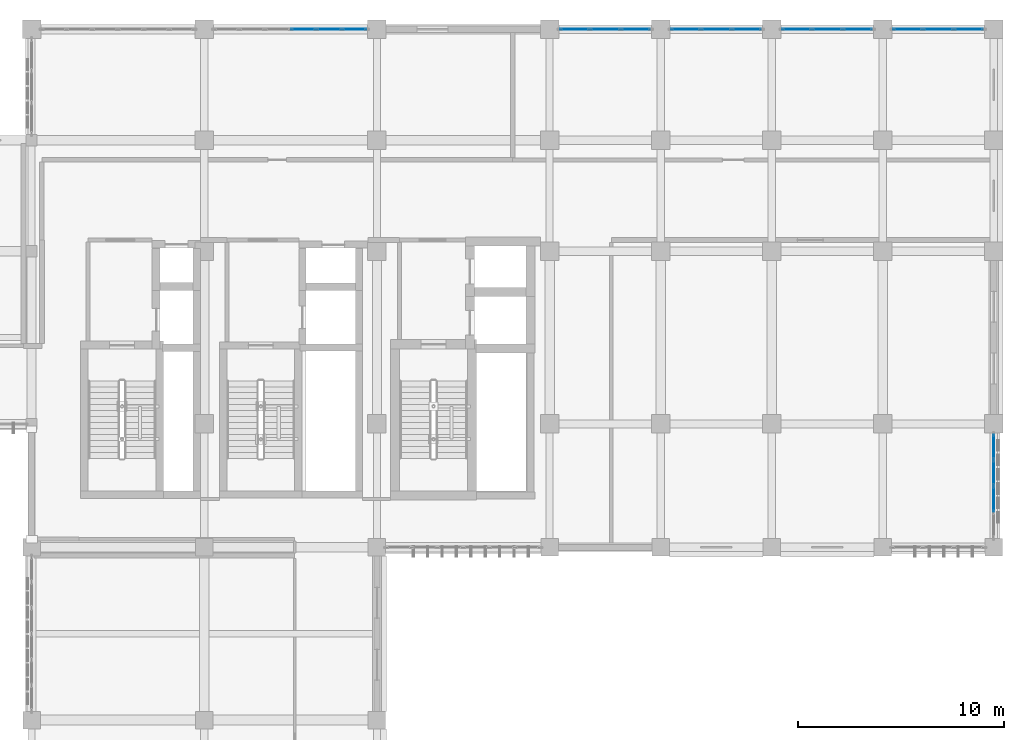
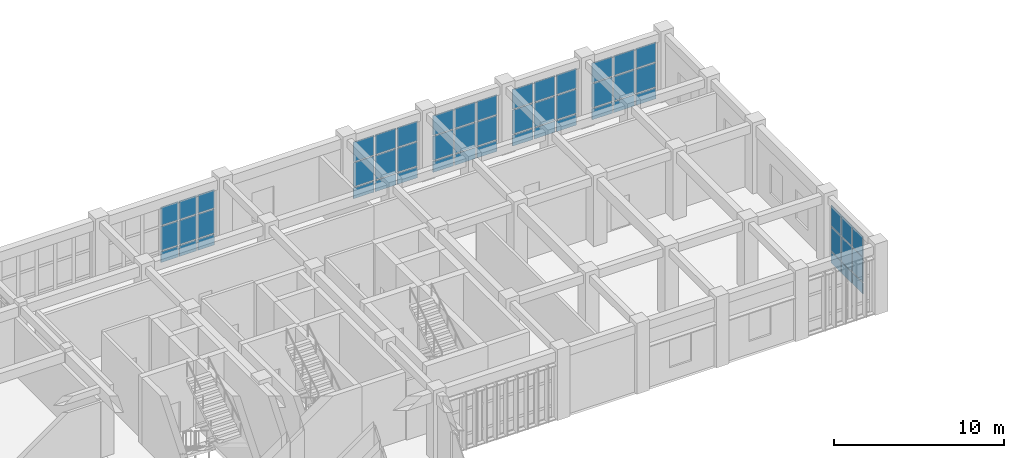
# One storey, part 79 of 106: 54 plates, 6 elements without a shape of their own.
"""IFC4 building model written with IfcOpenShell, lengths in metres."""

from ifc_helpers import new_model, si_unit, direction, frame, origin, origin_2d, place, context, subcontext, project, spatial, rectangle, extrude, material, layer, layer_set, type_object, element, aggregate, save


model = new_model("IFC4")

# Units and contexts
model_context = context("Model", 3, precision=1e-05, world=origin(), true_north=direction((0.0, 1.0)))
body_context = subcontext(model_context, "Body", "Model", "MODEL_VIEW")
ifc_project = project(units=[si_unit("LENGTHUNIT", "METRE"), si_unit("AREAUNIT", "SQUARE_METRE"), si_unit("VOLUMEUNIT", "CUBIC_METRE"), si_unit("PLANEANGLEUNIT", "RADIAN"), si_unit("MASSUNIT", "GRAM", prefix="KILO")], contexts=[model_context])

# Site, building, storey
site_placement = place(None, origin())
site = spatial("IfcSite", under=ifc_project, at=site_placement, CompositionType="ELEMENT")
building_placement = place(site_placement, origin())
building = spatial("IfcBuilding", under=site, at=building_placement, Name="Krzemoval Escarpment Law Courts", CompositionType="ELEMENT")
storey_placement = place(building_placement, frame((0.0, 0.0, 5.10009765625)))
storey = spatial("IfcBuildingStorey", under=building, at=storey_placement, Name="L01", CompositionType="ELEMENT", Elevation=5.10009765625)

# Curtain wall, plates
ifc_material_1 = material(Name="Aluminium 6063-T6", Category="aluminium")
ifc_layer_1 = layer(ifc_material_1, 0.239990234375)
ifc_layer_set_1 = layer_set([ifc_layer_1], Name="Aluminium 6063-T6")
curtain_wall_type = type_object("IfcCurtainWallType", Name="CW-CHMB-4800", PredefinedType="USERDEFINED", material=ifc_layer_set_1)
curtain_wall_1_placement = place(storey_placement, origin())
curtain_wall_1 = element("IfcCurtainWall", 1, at=curtain_wall_1_placement, inside=storey, type_object=curtain_wall_type, Name="Unitised Curtain Wall FCW-L01-033", ObjectType="UNITISED_CURTAIN_WALL", PredefinedType="USERDEFINED")
ifc_material_2 = material(Name="Triple Glazing IGU", Category="glass")
ifc_layer_2 = layer(ifc_material_2, 0.048095703125)
ifc_layer_set_2 = layer_set([ifc_layer_2], Name="Triple Glazing IGU")
plate_type = type_object("IfcPlateType", Name="CWP-GLZ-48", PredefinedType="CURTAIN_PANEL", material=ifc_layer_set_2)
plate_1_placement = place(storey_placement, frame((139.22509765625, 118.800048828125, 0.074951171875), z_axis=(0.0, 0.0, 1.0), x_axis=(1.0, 0.0, 0.0)))
plate_1 = element("IfcPlate", 2, at=plate_1_placement, type_object=plate_type, Name="FCW-L01-033 panel 4.1", PredefinedType="CURTAIN_PANEL", context=body_context, shape_type="SweptSolid", body=[
    extrude(rectangle(XDim=1.175048828125, YDim=0.048095703125, at=origin_2d()), origin(), (0.0, 0.0, 1.0), 0.78759765625),
])
plate_2_placement = place(storey_placement, frame((139.22509765625, 118.800048828125, 0.937255859375), z_axis=(0.0, 0.0, 1.0), x_axis=(1.0, 0.0, 0.0)))
plate_2 = element("IfcPlate", 3, at=plate_2_placement, type_object=plate_type, Name="FCW-L01-033 panel 4.2", PredefinedType="CURTAIN_PANEL", context=body_context, shape_type="SweptSolid", body=[
    extrude(rectangle(XDim=1.175048828125, YDim=0.048095703125, at=origin_2d()), origin(), (0.0, 0.0, 1.0), 1.72509765625),
])
plate_3_placement = place(storey_placement, frame((139.22509765625, 118.800048828125, 2.7373046875), z_axis=(0.0, 0.0, 1.0), x_axis=(1.0, 0.0, 0.0)))
plate_3 = element("IfcPlate", 4, at=plate_3_placement, type_object=plate_type, Name="FCW-L01-033 panel 4.3", PredefinedType="CURTAIN_PANEL", context=body_context, shape_type="SweptSolid", body=[
    extrude(rectangle(XDim=1.175048828125, YDim=0.048095703125, at=origin_2d()), origin(), (0.0, 0.0, 1.0), 1.3076171875),
])
plate_4_placement = place(storey_placement, frame((140.47509765625, 118.800048828125, 0.074951171875), z_axis=(0.0, 0.0, 1.0), x_axis=(1.0, 0.0, 0.0)))
plate_4 = element("IfcPlate", 5, at=plate_4_placement, type_object=plate_type, Name="FCW-L01-033 panel 5.1", PredefinedType="CURTAIN_PANEL", context=body_context, shape_type="SweptSolid", body=[
    extrude(rectangle(XDim=1.175048828125, YDim=0.048095703125, at=origin_2d()), origin(), (0.0, 0.0, 1.0), 0.78759765625),
])
plate_5_placement = place(storey_placement, frame((140.47509765625, 118.800048828125, 0.937255859375), z_axis=(0.0, 0.0, 1.0), x_axis=(1.0, 0.0, 0.0)))
plate_5 = element("IfcPlate", 6, at=plate_5_placement, type_object=plate_type, Name="FCW-L01-033 panel 5.2", PredefinedType="CURTAIN_PANEL", context=body_context, shape_type="SweptSolid", body=[
    extrude(rectangle(XDim=1.175048828125, YDim=0.048095703125, at=origin_2d()), origin(), (0.0, 0.0, 1.0), 1.72509765625),
])
plate_6_placement = place(storey_placement, frame((140.47509765625, 118.800048828125, 2.7373046875), z_axis=(0.0, 0.0, 1.0), x_axis=(1.0, 0.0, 0.0)))
plate_6 = element("IfcPlate", 7, at=plate_6_placement, type_object=plate_type, Name="FCW-L01-033 panel 5.3", PredefinedType="CURTAIN_PANEL", context=body_context, shape_type="SweptSolid", body=[
    extrude(rectangle(XDim=1.175048828125, YDim=0.048095703125, at=origin_2d()), origin(), (0.0, 0.0, 1.0), 1.3076171875),
])
plate_7_placement = place(storey_placement, frame((141.706298828125, 118.800048828125, 0.074951171875), z_axis=(0.0, 0.0, 1.0), x_axis=(1.0, 0.0, 0.0)))
plate_7 = element("IfcPlate", 8, at=plate_7_placement, type_object=plate_type, Name="FCW-L01-033 panel 6.1", PredefinedType="CURTAIN_PANEL", context=body_context, shape_type="SweptSolid", body=[
    extrude(rectangle(XDim=1.137451171875, YDim=0.048095703125, at=origin_2d()), origin(), (0.0, 0.0, 1.0), 0.78759765625),
])
plate_8_placement = place(storey_placement, frame((141.706298828125, 118.800048828125, 0.937255859375), z_axis=(0.0, 0.0, 1.0), x_axis=(1.0, 0.0, 0.0)))
plate_8 = element("IfcPlate", 9, at=plate_8_placement, type_object=plate_type, Name="FCW-L01-033 panel 6.2", PredefinedType="CURTAIN_PANEL", context=body_context, shape_type="SweptSolid", body=[
    extrude(rectangle(XDim=1.137451171875, YDim=0.048095703125, at=origin_2d()), origin(), (0.0, 0.0, 1.0), 1.72509765625),
])
plate_9_placement = place(storey_placement, frame((141.706298828125, 118.800048828125, 2.7373046875), z_axis=(0.0, 0.0, 1.0), x_axis=(1.0, 0.0, 0.0)))
plate_9 = element("IfcPlate", 10, at=plate_9_placement, type_object=plate_type, Name="FCW-L01-033 panel 6.3", PredefinedType="CURTAIN_PANEL", context=body_context, shape_type="SweptSolid", body=[
    extrude(rectangle(XDim=1.137451171875, YDim=0.048095703125, at=origin_2d()), origin(), (0.0, 0.0, 1.0), 1.3076171875),
])
aggregate(curtain_wall_1, [plate_1, plate_2, plate_3, plate_4, plate_5, plate_6, plate_7, plate_8, plate_9])

curtain_wall_2_placement = place(storey_placement, origin())
curtain_wall_2 = element("IfcCurtainWall", 11, at=curtain_wall_2_placement, inside=storey, type_object=curtain_wall_type, Name="Unitised Curtain Wall FCW-L01-034", ObjectType="UNITISED_CURTAIN_WALL", PredefinedType="USERDEFINED")
plate_10_placement = place(storey_placement, frame((152.418701171875, 118.800048828125, 0.074951171875), z_axis=(0.0, 0.0, 1.0), x_axis=(1.0, 0.0, 0.0)))
plate_10 = element("IfcPlate", 12, at=plate_10_placement, type_object=plate_type, Name="FCW-L01-034 panel 1.1", PredefinedType="CURTAIN_PANEL", context=body_context, shape_type="SweptSolid", body=[
    extrude(rectangle(XDim=1.387451171875, YDim=0.048095703125, at=origin_2d()), origin(), (0.0, 0.0, 1.0), 0.78759765625),
])
plate_11_placement = place(storey_placement, frame((152.418701171875, 118.800048828125, 0.937255859375), z_axis=(0.0, 0.0, 1.0), x_axis=(1.0, 0.0, 0.0)))
plate_11 = element("IfcPlate", 13, at=plate_11_placement, type_object=plate_type, Name="FCW-L01-034 panel 1.2", PredefinedType="CURTAIN_PANEL", context=body_context, shape_type="SweptSolid", body=[
    extrude(rectangle(XDim=1.387451171875, YDim=0.048095703125, at=origin_2d()), origin(), (0.0, 0.0, 1.0), 1.72509765625),
])
plate_12_placement = place(storey_placement, frame((152.418701171875, 118.800048828125, 2.7373046875), z_axis=(0.0, 0.0, 1.0), x_axis=(1.0, 0.0, 0.0)))
plate_12 = element("IfcPlate", 14, at=plate_12_placement, type_object=plate_type, Name="FCW-L01-034 panel 1.3", PredefinedType="CURTAIN_PANEL", context=body_context, shape_type="SweptSolid", body=[
    extrude(rectangle(XDim=1.387451171875, YDim=0.048095703125, at=origin_2d()), origin(), (0.0, 0.0, 1.0), 1.407470703125),
])
plate_13_placement = place(storey_placement, frame((153.89990234375, 118.800048828125, 0.074951171875), z_axis=(0.0, 0.0, 1.0), x_axis=(1.0, 0.0, 0.0)))
plate_13 = element("IfcPlate", 15, at=plate_13_placement, type_object=plate_type, Name="FCW-L01-034 panel 2.1", PredefinedType="CURTAIN_PANEL", context=body_context, shape_type="SweptSolid", body=[
    extrude(rectangle(XDim=1.425048828125, YDim=0.048095703125, at=origin_2d()), origin(), (0.0, 0.0, 1.0), 0.78759765625),
])
plate_14_placement = place(storey_placement, frame((153.89990234375, 118.800048828125, 0.937255859375), z_axis=(0.0, 0.0, 1.0), x_axis=(1.0, 0.0, 0.0)))
plate_14 = element("IfcPlate", 16, at=plate_14_placement, type_object=plate_type, Name="FCW-L01-034 panel 2.2", PredefinedType="CURTAIN_PANEL", context=body_context, shape_type="SweptSolid", body=[
    extrude(rectangle(XDim=1.425048828125, YDim=0.048095703125, at=origin_2d()), origin(), (0.0, 0.0, 1.0), 1.72509765625),
])
plate_15_placement = place(storey_placement, frame((153.89990234375, 118.800048828125, 2.7373046875), z_axis=(0.0, 0.0, 1.0), x_axis=(1.0, 0.0, 0.0)))
plate_15 = element("IfcPlate", 17, at=plate_15_placement, type_object=plate_type, Name="FCW-L01-034 panel 2.3", PredefinedType="CURTAIN_PANEL", context=body_context, shape_type="SweptSolid", body=[
    extrude(rectangle(XDim=1.425048828125, YDim=0.048095703125, at=origin_2d()), origin(), (0.0, 0.0, 1.0), 1.407470703125),
])
plate_16_placement = place(storey_placement, frame((155.38134765625, 118.800048828125, 0.074951171875), z_axis=(0.0, 0.0, 1.0), x_axis=(1.0, 0.0, 0.0)))
plate_16 = element("IfcPlate", 18, at=plate_16_placement, type_object=plate_type, Name="FCW-L01-034 panel 3.1", PredefinedType="CURTAIN_PANEL", context=body_context, shape_type="SweptSolid", body=[
    extrude(rectangle(XDim=1.387451171875, YDim=0.048095703125, at=origin_2d()), origin(), (0.0, 0.0, 1.0), 0.78759765625),
])
plate_17_placement = place(storey_placement, frame((155.38134765625, 118.800048828125, 0.937255859375), z_axis=(0.0, 0.0, 1.0), x_axis=(1.0, 0.0, 0.0)))
plate_17 = element("IfcPlate", 19, at=plate_17_placement, type_object=plate_type, Name="FCW-L01-034 panel 3.2", PredefinedType="CURTAIN_PANEL", context=body_context, shape_type="SweptSolid", body=[
    extrude(rectangle(XDim=1.387451171875, YDim=0.048095703125, at=origin_2d()), origin(), (0.0, 0.0, 1.0), 1.72509765625),
])
plate_18_placement = place(storey_placement, frame((155.38134765625, 118.800048828125, 2.7373046875), z_axis=(0.0, 0.0, 1.0), x_axis=(1.0, 0.0, 0.0)))
plate_18 = element("IfcPlate", 20, at=plate_18_placement, type_object=plate_type, Name="FCW-L01-034 panel 3.3", PredefinedType="CURTAIN_PANEL", context=body_context, shape_type="SweptSolid", body=[
    extrude(rectangle(XDim=1.387451171875, YDim=0.048095703125, at=origin_2d()), origin(), (0.0, 0.0, 1.0), 1.407470703125),
])
aggregate(curtain_wall_2, [plate_10, plate_11, plate_12, plate_13, plate_14, plate_15, plate_16, plate_17, plate_18])

curtain_wall_3_placement = place(storey_placement, origin())
curtain_wall_3 = element("IfcCurtainWall", 21, at=curtain_wall_3_placement, inside=storey, type_object=curtain_wall_type, Name="Unitised Curtain Wall FCW-L01-035", ObjectType="UNITISED_CURTAIN_WALL", PredefinedType="USERDEFINED")
plate_19_placement = place(storey_placement, frame((157.81884765625, 118.800048828125, 0.074951171875), z_axis=(0.0, 0.0, 1.0), x_axis=(1.0, 0.0, 0.0)))
plate_19 = element("IfcPlate", 22, at=plate_19_placement, type_object=plate_type, Name="FCW-L01-035 panel 1.1", PredefinedType="CURTAIN_PANEL", context=body_context, shape_type="SweptSolid", body=[
    extrude(rectangle(XDim=1.387451171875, YDim=0.048095703125, at=origin_2d()), origin(), (0.0, 0.0, 1.0), 0.78759765625),
])
plate_20_placement = place(storey_placement, frame((157.81884765625, 118.800048828125, 0.937255859375), z_axis=(0.0, 0.0, 1.0), x_axis=(1.0, 0.0, 0.0)))
plate_20 = element("IfcPlate", 23, at=plate_20_placement, type_object=plate_type, Name="FCW-L01-035 panel 1.2", PredefinedType="CURTAIN_PANEL", context=body_context, shape_type="SweptSolid", body=[
    extrude(rectangle(XDim=1.387451171875, YDim=0.048095703125, at=origin_2d()), origin(), (0.0, 0.0, 1.0), 1.72509765625),
])
plate_21_placement = place(storey_placement, frame((157.81884765625, 118.800048828125, 2.7373046875), z_axis=(0.0, 0.0, 1.0), x_axis=(1.0, 0.0, 0.0)))
plate_21 = element("IfcPlate", 24, at=plate_21_placement, type_object=plate_type, Name="FCW-L01-035 panel 1.3", PredefinedType="CURTAIN_PANEL", context=body_context, shape_type="SweptSolid", body=[
    extrude(rectangle(XDim=1.387451171875, YDim=0.048095703125, at=origin_2d()), origin(), (0.0, 0.0, 1.0), 1.407470703125),
])
plate_22_placement = place(storey_placement, frame((159.300048828125, 118.800048828125, 0.074951171875), z_axis=(0.0, 0.0, 1.0), x_axis=(1.0, 0.0, 0.0)))
plate_22 = element("IfcPlate", 25, at=plate_22_placement, type_object=plate_type, Name="FCW-L01-035 panel 2.1", PredefinedType="CURTAIN_PANEL", context=body_context, shape_type="SweptSolid", body=[
    extrude(rectangle(XDim=1.425048828125, YDim=0.048095703125, at=origin_2d()), origin(), (0.0, 0.0, 1.0), 0.78759765625),
])
plate_23_placement = place(storey_placement, frame((159.300048828125, 118.800048828125, 0.937255859375), z_axis=(0.0, 0.0, 1.0), x_axis=(1.0, 0.0, 0.0)))
plate_23 = element("IfcPlate", 26, at=plate_23_placement, type_object=plate_type, Name="FCW-L01-035 panel 2.2", PredefinedType="CURTAIN_PANEL", context=body_context, shape_type="SweptSolid", body=[
    extrude(rectangle(XDim=1.425048828125, YDim=0.048095703125, at=origin_2d()), origin(), (0.0, 0.0, 1.0), 1.72509765625),
])
plate_24_placement = place(storey_placement, frame((159.300048828125, 118.800048828125, 2.7373046875), z_axis=(0.0, 0.0, 1.0), x_axis=(1.0, 0.0, 0.0)))
plate_24 = element("IfcPlate", 27, at=plate_24_placement, type_object=plate_type, Name="FCW-L01-035 panel 2.3", PredefinedType="CURTAIN_PANEL", context=body_context, shape_type="SweptSolid", body=[
    extrude(rectangle(XDim=1.425048828125, YDim=0.048095703125, at=origin_2d()), origin(), (0.0, 0.0, 1.0), 1.407470703125),
])
plate_25_placement = place(storey_placement, frame((160.78125, 118.800048828125, 0.074951171875), z_axis=(0.0, 0.0, 1.0), x_axis=(1.0, 0.0, 0.0)))
plate_25 = element("IfcPlate", 28, at=plate_25_placement, type_object=plate_type, Name="FCW-L01-035 panel 3.1", PredefinedType="CURTAIN_PANEL", context=body_context, shape_type="SweptSolid", body=[
    extrude(rectangle(XDim=1.387451171875, YDim=0.048095703125, at=origin_2d()), origin(), (0.0, 0.0, 1.0), 0.78759765625),
])
plate_26_placement = place(storey_placement, frame((160.78125, 118.800048828125, 0.937255859375), z_axis=(0.0, 0.0, 1.0), x_axis=(1.0, 0.0, 0.0)))
plate_26 = element("IfcPlate", 29, at=plate_26_placement, type_object=plate_type, Name="FCW-L01-035 panel 3.2", PredefinedType="CURTAIN_PANEL", context=body_context, shape_type="SweptSolid", body=[
    extrude(rectangle(XDim=1.387451171875, YDim=0.048095703125, at=origin_2d()), origin(), (0.0, 0.0, 1.0), 1.72509765625),
])
plate_27_placement = place(storey_placement, frame((160.78125, 118.800048828125, 2.7373046875), z_axis=(0.0, 0.0, 1.0), x_axis=(1.0, 0.0, 0.0)))
plate_27 = element("IfcPlate", 30, at=plate_27_placement, type_object=plate_type, Name="FCW-L01-035 panel 3.3", PredefinedType="CURTAIN_PANEL", context=body_context, shape_type="SweptSolid", body=[
    extrude(rectangle(XDim=1.387451171875, YDim=0.048095703125, at=origin_2d()), origin(), (0.0, 0.0, 1.0), 1.407470703125),
])
aggregate(curtain_wall_3, [plate_19, plate_20, plate_21, plate_22, plate_23, plate_24, plate_25, plate_26, plate_27])

curtain_wall_4_placement = place(storey_placement, origin())
curtain_wall_4 = element("IfcCurtainWall", 31, at=curtain_wall_4_placement, inside=storey, type_object=curtain_wall_type, Name="Unitised Curtain Wall FCW-L01-036", ObjectType="UNITISED_CURTAIN_WALL", PredefinedType="USERDEFINED")
plate_28_placement = place(storey_placement, frame((163.21875, 118.800048828125, 0.074951171875), z_axis=(0.0, 0.0, 1.0), x_axis=(1.0, 0.0, 0.0)))
plate_28 = element("IfcPlate", 32, at=plate_28_placement, type_object=plate_type, Name="FCW-L01-036 panel 1.1", PredefinedType="CURTAIN_PANEL", context=body_context, shape_type="SweptSolid", body=[
    extrude(rectangle(XDim=1.387451171875, YDim=0.048095703125, at=origin_2d()), origin(), (0.0, 0.0, 1.0), 0.78759765625),
])
plate_29_placement = place(storey_placement, frame((163.21875, 118.800048828125, 0.937255859375), z_axis=(0.0, 0.0, 1.0), x_axis=(1.0, 0.0, 0.0)))
plate_29 = element("IfcPlate", 33, at=plate_29_placement, type_object=plate_type, Name="FCW-L01-036 panel 1.2", PredefinedType="CURTAIN_PANEL", context=body_context, shape_type="SweptSolid", body=[
    extrude(rectangle(XDim=1.387451171875, YDim=0.048095703125, at=origin_2d()), origin(), (0.0, 0.0, 1.0), 1.72509765625),
])
plate_30_placement = place(storey_placement, frame((163.21875, 118.800048828125, 2.7373046875), z_axis=(0.0, 0.0, 1.0), x_axis=(1.0, 0.0, 0.0)))
plate_30 = element("IfcPlate", 34, at=plate_30_placement, type_object=plate_type, Name="FCW-L01-036 panel 1.3", PredefinedType="CURTAIN_PANEL", context=body_context, shape_type="SweptSolid", body=[
    extrude(rectangle(XDim=1.387451171875, YDim=0.048095703125, at=origin_2d()), origin(), (0.0, 0.0, 1.0), 1.407470703125),
])
plate_31_placement = place(storey_placement, frame((164.699951171875, 118.800048828125, 0.074951171875), z_axis=(0.0, 0.0, 1.0), x_axis=(1.0, 0.0, 0.0)))
plate_31 = element("IfcPlate", 35, at=plate_31_placement, type_object=plate_type, Name="FCW-L01-036 panel 2.1", PredefinedType="CURTAIN_PANEL", context=body_context, shape_type="SweptSolid", body=[
    extrude(rectangle(XDim=1.425048828125, YDim=0.048095703125, at=origin_2d()), origin(), (0.0, 0.0, 1.0), 0.78759765625),
])
plate_32_placement = place(storey_placement, frame((164.699951171875, 118.800048828125, 0.937255859375), z_axis=(0.0, 0.0, 1.0), x_axis=(1.0, 0.0, 0.0)))
plate_32 = element("IfcPlate", 36, at=plate_32_placement, type_object=plate_type, Name="FCW-L01-036 panel 2.2", PredefinedType="CURTAIN_PANEL", context=body_context, shape_type="SweptSolid", body=[
    extrude(rectangle(XDim=1.425048828125, YDim=0.048095703125, at=origin_2d()), origin(), (0.0, 0.0, 1.0), 1.72509765625),
])
plate_33_placement = place(storey_placement, frame((164.699951171875, 118.800048828125, 2.7373046875), z_axis=(0.0, 0.0, 1.0), x_axis=(1.0, 0.0, 0.0)))
plate_33 = element("IfcPlate", 37, at=plate_33_placement, type_object=plate_type, Name="FCW-L01-036 panel 2.3", PredefinedType="CURTAIN_PANEL", context=body_context, shape_type="SweptSolid", body=[
    extrude(rectangle(XDim=1.425048828125, YDim=0.048095703125, at=origin_2d()), origin(), (0.0, 0.0, 1.0), 1.407470703125),
])
plate_34_placement = place(storey_placement, frame((166.18115234375, 118.800048828125, 0.074951171875), z_axis=(0.0, 0.0, 1.0), x_axis=(1.0, 0.0, 0.0)))
plate_34 = element("IfcPlate", 38, at=plate_34_placement, type_object=plate_type, Name="FCW-L01-036 panel 3.1", PredefinedType="CURTAIN_PANEL", context=body_context, shape_type="SweptSolid", body=[
    extrude(rectangle(XDim=1.387451171875, YDim=0.048095703125, at=origin_2d()), origin(), (0.0, 0.0, 1.0), 0.78759765625),
])
plate_35_placement = place(storey_placement, frame((166.18115234375, 118.800048828125, 0.937255859375), z_axis=(0.0, 0.0, 1.0), x_axis=(1.0, 0.0, 0.0)))
plate_35 = element("IfcPlate", 39, at=plate_35_placement, type_object=plate_type, Name="FCW-L01-036 panel 3.2", PredefinedType="CURTAIN_PANEL", context=body_context, shape_type="SweptSolid", body=[
    extrude(rectangle(XDim=1.387451171875, YDim=0.048095703125, at=origin_2d()), origin(), (0.0, 0.0, 1.0), 1.72509765625),
])
plate_36_placement = place(storey_placement, frame((166.18115234375, 118.800048828125, 2.7373046875), z_axis=(0.0, 0.0, 1.0), x_axis=(1.0, 0.0, 0.0)))
plate_36 = element("IfcPlate", 40, at=plate_36_placement, type_object=plate_type, Name="FCW-L01-036 panel 3.3", PredefinedType="CURTAIN_PANEL", context=body_context, shape_type="SweptSolid", body=[
    extrude(rectangle(XDim=1.387451171875, YDim=0.048095703125, at=origin_2d()), origin(), (0.0, 0.0, 1.0), 1.407470703125),
])
aggregate(curtain_wall_4, [plate_28, plate_29, plate_30, plate_31, plate_32, plate_33, plate_34, plate_35, plate_36])

curtain_wall_5_placement = place(storey_placement, origin())
curtain_wall_5 = element("IfcCurtainWall", 41, at=curtain_wall_5_placement, inside=storey, type_object=curtain_wall_type, Name="Unitised Curtain Wall FCW-L01-037", ObjectType="UNITISED_CURTAIN_WALL", PredefinedType="USERDEFINED")
plate_37_placement = place(storey_placement, frame((168.61865234375, 118.800048828125, 0.074951171875), z_axis=(0.0, 0.0, 1.0), x_axis=(1.0, 0.0, 0.0)))
plate_37 = element("IfcPlate", 42, at=plate_37_placement, type_object=plate_type, Name="FCW-L01-037 panel 1.1", PredefinedType="CURTAIN_PANEL", context=body_context, shape_type="SweptSolid", body=[
    extrude(rectangle(XDim=1.387451171875, YDim=0.048095703125, at=origin_2d()), origin(), (0.0, 0.0, 1.0), 0.78759765625),
])
plate_38_placement = place(storey_placement, frame((168.61865234375, 118.800048828125, 0.937255859375), z_axis=(0.0, 0.0, 1.0), x_axis=(1.0, 0.0, 0.0)))
plate_38 = element("IfcPlate", 43, at=plate_38_placement, type_object=plate_type, Name="FCW-L01-037 panel 1.2", PredefinedType="CURTAIN_PANEL", context=body_context, shape_type="SweptSolid", body=[
    extrude(rectangle(XDim=1.387451171875, YDim=0.048095703125, at=origin_2d()), origin(), (0.0, 0.0, 1.0), 1.72509765625),
])
plate_39_placement = place(storey_placement, frame((168.61865234375, 118.800048828125, 2.7373046875), z_axis=(0.0, 0.0, 1.0), x_axis=(1.0, 0.0, 0.0)))
plate_39 = element("IfcPlate", 44, at=plate_39_placement, type_object=plate_type, Name="FCW-L01-037 panel 1.3", PredefinedType="CURTAIN_PANEL", context=body_context, shape_type="SweptSolid", body=[
    extrude(rectangle(XDim=1.387451171875, YDim=0.048095703125, at=origin_2d()), origin(), (0.0, 0.0, 1.0), 1.407470703125),
])
plate_40_placement = place(storey_placement, frame((170.10009765625, 118.800048828125, 0.074951171875), z_axis=(0.0, 0.0, 1.0), x_axis=(1.0, 0.0, 0.0)))
plate_40 = element("IfcPlate", 45, at=plate_40_placement, type_object=plate_type, Name="FCW-L01-037 panel 2.1", PredefinedType="CURTAIN_PANEL", context=body_context, shape_type="SweptSolid", body=[
    extrude(rectangle(XDim=1.425048828125, YDim=0.048095703125, at=origin_2d()), origin(), (0.0, 0.0, 1.0), 0.78759765625),
])
plate_41_placement = place(storey_placement, frame((170.10009765625, 118.800048828125, 0.937255859375), z_axis=(0.0, 0.0, 1.0), x_axis=(1.0, 0.0, 0.0)))
plate_41 = element("IfcPlate", 46, at=plate_41_placement, type_object=plate_type, Name="FCW-L01-037 panel 2.2", PredefinedType="CURTAIN_PANEL", context=body_context, shape_type="SweptSolid", body=[
    extrude(rectangle(XDim=1.425048828125, YDim=0.048095703125, at=origin_2d()), origin(), (0.0, 0.0, 1.0), 1.72509765625),
])
plate_42_placement = place(storey_placement, frame((170.10009765625, 118.800048828125, 2.7373046875), z_axis=(0.0, 0.0, 1.0), x_axis=(1.0, 0.0, 0.0)))
plate_42 = element("IfcPlate", 47, at=plate_42_placement, type_object=plate_type, Name="FCW-L01-037 panel 2.3", PredefinedType="CURTAIN_PANEL", context=body_context, shape_type="SweptSolid", body=[
    extrude(rectangle(XDim=1.425048828125, YDim=0.048095703125, at=origin_2d()), origin(), (0.0, 0.0, 1.0), 1.407470703125),
])
plate_43_placement = place(storey_placement, frame((171.581298828125, 118.800048828125, 0.074951171875), z_axis=(0.0, 0.0, 1.0), x_axis=(1.0, 0.0, 0.0)))
plate_43 = element("IfcPlate", 48, at=plate_43_placement, type_object=plate_type, Name="FCW-L01-037 panel 3.1", PredefinedType="CURTAIN_PANEL", context=body_context, shape_type="SweptSolid", body=[
    extrude(rectangle(XDim=1.387451171875, YDim=0.048095703125, at=origin_2d()), origin(), (0.0, 0.0, 1.0), 0.78759765625),
])
plate_44_placement = place(storey_placement, frame((171.581298828125, 118.800048828125, 0.937255859375), z_axis=(0.0, 0.0, 1.0), x_axis=(1.0, 0.0, 0.0)))
plate_44 = element("IfcPlate", 49, at=plate_44_placement, type_object=plate_type, Name="FCW-L01-037 panel 3.2", PredefinedType="CURTAIN_PANEL", context=body_context, shape_type="SweptSolid", body=[
    extrude(rectangle(XDim=1.387451171875, YDim=0.048095703125, at=origin_2d()), origin(), (0.0, 0.0, 1.0), 1.72509765625),
])
plate_45_placement = place(storey_placement, frame((171.581298828125, 118.800048828125, 2.7373046875), z_axis=(0.0, 0.0, 1.0), x_axis=(1.0, 0.0, 0.0)))
plate_45 = element("IfcPlate", 50, at=plate_45_placement, type_object=plate_type, Name="FCW-L01-037 panel 3.3", PredefinedType="CURTAIN_PANEL", context=body_context, shape_type="SweptSolid", body=[
    extrude(rectangle(XDim=1.387451171875, YDim=0.048095703125, at=origin_2d()), origin(), (0.0, 0.0, 1.0), 1.407470703125),
])
aggregate(curtain_wall_5, [plate_37, plate_38, plate_39, plate_40, plate_41, plate_42, plate_43, plate_44, plate_45])

curtain_wall_6_placement = place(storey_placement, origin())
curtain_wall_6 = element("IfcCurtainWall", 51, at=curtain_wall_6_placement, inside=storey, type_object=curtain_wall_type, Name="Unitised Curtain Wall FCW-L01-038", ObjectType="UNITISED_CURTAIN_WALL", PredefinedType="USERDEFINED")
plate_46_placement = place(storey_placement, frame((172.800048828125, 98.49072265625, 0.074951171875), z_axis=(0.0, 0.0, 1.0), x_axis=(0.0, -1.0, 0.0)))
plate_46 = element("IfcPlate", 52, at=plate_46_placement, type_object=plate_type, Name="FCW-L01-038 panel 1.1", PredefinedType="CURTAIN_PANEL", context=body_context, shape_type="SweptSolid", body=[
    extrude(rectangle(XDim=1.168701171875, YDim=0.048095703125, at=origin_2d()), origin(), (0.0, 0.0, 1.0), 0.78759765625),
])
plate_47_placement = place(storey_placement, frame((172.800048828125, 98.49072265625, 0.937255859375), z_axis=(0.0, 0.0, 1.0), x_axis=(0.0, -1.0, 0.0)))
plate_47 = element("IfcPlate", 53, at=plate_47_placement, type_object=plate_type, Name="FCW-L01-038 panel 1.2", PredefinedType="CURTAIN_PANEL", context=body_context, shape_type="SweptSolid", body=[
    extrude(rectangle(XDim=1.168701171875, YDim=0.048095703125, at=origin_2d()), origin(), (0.0, 0.0, 1.0), 1.72509765625),
])
plate_48_placement = place(storey_placement, frame((172.800048828125, 98.49072265625, 2.7373046875), z_axis=(0.0, 0.0, 1.0), x_axis=(0.0, -1.0, 0.0)))
plate_48 = element("IfcPlate", 54, at=plate_48_placement, type_object=plate_type, Name="FCW-L01-038 panel 1.3", PredefinedType="CURTAIN_PANEL", context=body_context, shape_type="SweptSolid", body=[
    extrude(rectangle(XDim=1.168701171875, YDim=0.048095703125, at=origin_2d()), origin(), (0.0, 0.0, 1.0), 1.45751953125),
])
plate_49_placement = place(storey_placement, frame((172.800048828125, 97.22802734375, 0.074951171875), z_axis=(0.0, 0.0, 1.0), x_axis=(0.0, -1.0, 0.0)))
plate_49 = element("IfcPlate", 55, at=plate_49_placement, type_object=plate_type, Name="FCW-L01-038 panel 2.1", PredefinedType="CURTAIN_PANEL", context=body_context, shape_type="SweptSolid", body=[
    extrude(rectangle(XDim=1.206298828125, YDim=0.048095703125, at=origin_2d()), origin(), (0.0, 0.0, 1.0), 0.78759765625),
])
plate_50_placement = place(storey_placement, frame((172.800048828125, 97.22802734375, 0.937255859375), z_axis=(0.0, 0.0, 1.0), x_axis=(0.0, -1.0, 0.0)))
plate_50 = element("IfcPlate", 56, at=plate_50_placement, type_object=plate_type, Name="FCW-L01-038 panel 2.2", PredefinedType="CURTAIN_PANEL", context=body_context, shape_type="SweptSolid", body=[
    extrude(rectangle(XDim=1.206298828125, YDim=0.048095703125, at=origin_2d()), origin(), (0.0, 0.0, 1.0), 1.72509765625),
])
plate_51_placement = place(storey_placement, frame((172.800048828125, 97.22802734375, 2.7373046875), z_axis=(0.0, 0.0, 1.0), x_axis=(0.0, -1.0, 0.0)))
plate_51 = element("IfcPlate", 57, at=plate_51_placement, type_object=plate_type, Name="FCW-L01-038 panel 2.3", PredefinedType="CURTAIN_PANEL", context=body_context, shape_type="SweptSolid", body=[
    extrude(rectangle(XDim=1.206298828125, YDim=0.048095703125, at=origin_2d()), origin(), (0.0, 0.0, 1.0), 1.45751953125),
])
plate_52_placement = place(storey_placement, frame((172.800048828125, 95.94677734375, 0.074951171875), z_axis=(0.0, 0.0, 1.0), x_axis=(0.0, -1.0, 0.0)))
plate_52 = element("IfcPlate", 58, at=plate_52_placement, type_object=plate_type, Name="FCW-L01-038 panel 3.1", PredefinedType="CURTAIN_PANEL", context=body_context, shape_type="SweptSolid", body=[
    extrude(rectangle(XDim=1.206298828125, YDim=0.048095703125, at=origin_2d()), origin(), (0.0, 0.0, 1.0), 0.78759765625),
])
plate_53_placement = place(storey_placement, frame((172.800048828125, 95.94677734375, 0.937255859375), z_axis=(0.0, 0.0, 1.0), x_axis=(0.0, -1.0, 0.0)))
plate_53 = element("IfcPlate", 59, at=plate_53_placement, type_object=plate_type, Name="FCW-L01-038 panel 3.2", PredefinedType="CURTAIN_PANEL", context=body_context, shape_type="SweptSolid", body=[
    extrude(rectangle(XDim=1.206298828125, YDim=0.048095703125, at=origin_2d()), origin(), (0.0, 0.0, 1.0), 1.72509765625),
])
plate_54_placement = place(storey_placement, frame((172.800048828125, 95.94677734375, 2.7373046875), z_axis=(0.0, 0.0, 1.0), x_axis=(0.0, -1.0, 0.0)))
plate_54 = element("IfcPlate", 60, at=plate_54_placement, type_object=plate_type, Name="FCW-L01-038 panel 3.3", PredefinedType="CURTAIN_PANEL", context=body_context, shape_type="SweptSolid", body=[
    extrude(rectangle(XDim=1.206298828125, YDim=0.048095703125, at=origin_2d()), origin(), (0.0, 0.0, 1.0), 1.45751953125),
])
aggregate(curtain_wall_6, [plate_46, plate_47, plate_48, plate_49, plate_50, plate_51, plate_52, plate_53, plate_54])

save(model, "model.ifc")
